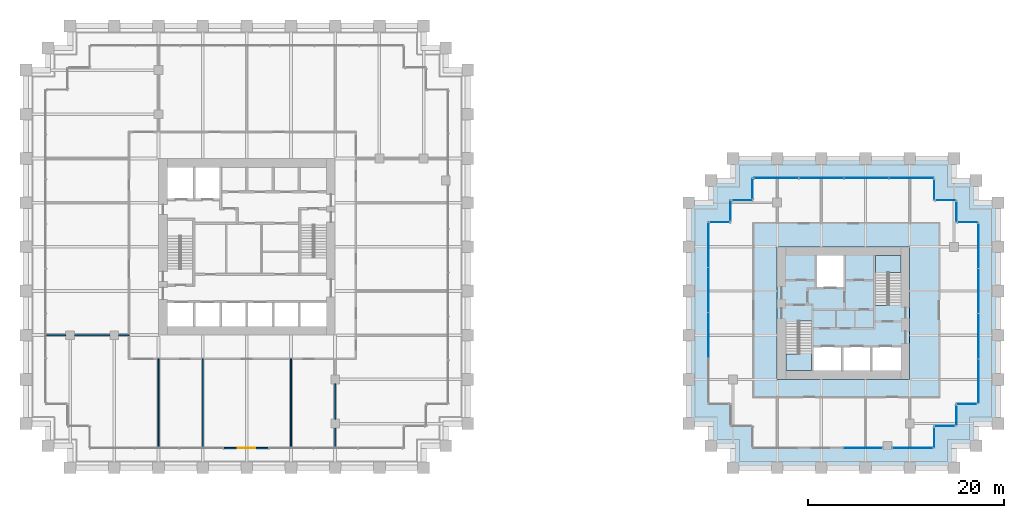
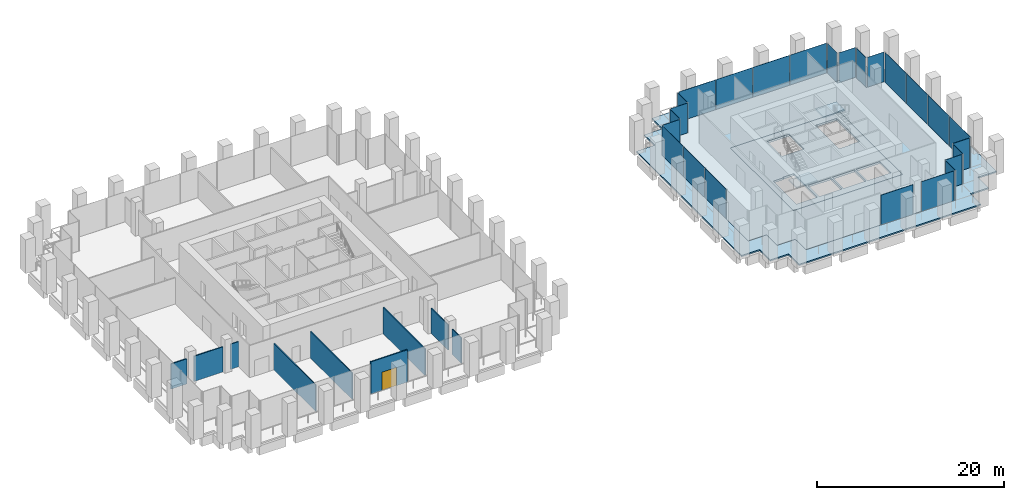
# One storey, part 29 of 36: 25 plates, 9 walls, 5 slabs, 1 door, 1 opening, 19 elements without a shape of their own.
"""IFC4 building model written with IfcOpenShell, lengths in metres."""

from ifc_helpers import new_model, si_unit, direction, frame, frame_2d, origin, origin_2d, place, context, subcontext, project, spatial, polyline, rectangle, outline, extrude, material, layer, layer_set, type_object, element, fill, aggregate, save


model = new_model("IFC4")

# Units and contexts
model_context = context("Model", 3, precision=1e-05, world=origin(), true_north=direction((0.0, 1.0)))
body_context = subcontext(model_context, "Body", "Model", "MODEL_VIEW")
ifc_project = project(units=[si_unit("LENGTHUNIT", "METRE"), si_unit("AREAUNIT", "SQUARE_METRE"), si_unit("VOLUMEUNIT", "CUBIC_METRE"), si_unit("PLANEANGLEUNIT", "RADIAN"), si_unit("MASSUNIT", "GRAM", prefix="KILO")], contexts=[model_context])

# Site, building, storey
site_placement = place(None, origin())
site = spatial("IfcSite", under=ifc_project, at=site_placement, CompositionType="ELEMENT")
building_placement = place(site_placement, origin())
building = spatial("IfcBuilding", under=site, at=building_placement, Name="Altepetl Exchange Towers", CompositionType="ELEMENT")
storey_placement = place(building_placement, frame((0.0, 0.0, 25.39990234375)))
storey = spatial("IfcBuildingStorey", under=building, at=storey_placement, Name="L05", CompositionType="ELEMENT", Elevation=25.39990234375)

# Slabs
ifc_material_1 = material(Name="Concrete C40/50", Category="concrete")
ifc_layer_1 = layer(ifc_material_1, 0.175048828125)
ifc_layer_set_1 = layer_set([ifc_layer_1], Name="Concrete C40/50")
slab_type_1 = type_object("IfcSlabType", Name="Composite floor slab 175", PredefinedType="FLOOR", material=ifc_layer_set_1)
slab_1_placement = place(storey_placement, frame((0.0, 0.0, -0.1748046875)))
element("IfcSlab", 1, at=slab_1_placement, inside=storey, type_object=slab_type_1, Name="slab:B:L05:strip0", PredefinedType="FLOOR", context=body_context, shape_type="SweptSolid", body=[
    extrude(outline(polyline([(98.75, 54.25), (98.75, 52.0), (96.5, 52.0), (96.5, 33.5), (98.75, 33.5), (98.75, 31.25), (101.0, 31.25), (101.0, 29.0), (119.5, 29.0), (119.5, 31.25), (121.75, 31.25), (121.75, 33.5), (124.0, 33.5), (124.0, 52.0), (121.75, 52.0), (121.75, 54.25), (119.5, 54.25), (119.5, 56.5), (101.0, 56.5), (101.0, 54.25), (98.75, 54.25)]), holes=[polyline([(117.0, 49.5), (117.0, 36.0), (103.5, 36.0), (103.5, 49.5), (117.0, 49.5)])]), origin(), (0.0, 0.0, 1.0), 0.1748046875),
])
ifc_layer_2 = layer(ifc_material_1, 0.27490234375)
ifc_layer_set_2 = layer_set([ifc_layer_2], Name="Concrete C40/50")
slab_type_2 = type_object("IfcSlabType", Name="Core floor slab 275", PredefinedType="FLOOR", material=ifc_layer_set_2)
slab_2_placement = place(storey_placement, frame((0.0, 0.0, -0.27490234375)))
element("IfcSlab", 2, at=slab_2_placement, inside=storey, type_object=slab_type_2, Name="slab:B:L05:core0", PredefinedType="FLOOR", context=body_context, shape_type="SweptSolid", body=[
    extrude(outline(polyline([(103.5, 36.0), (117.0, 36.0), (117.0, 49.5), (103.5, 49.5), (103.5, 36.0)]), holes=[polyline([(107.199951171875, 36.89990234375), (107.199951171875, 39.300048828125), (110.032958984375, 39.300048828125), (110.032958984375, 36.89990234375), (107.199951171875, 36.89990234375)]), polyline([(110.23291015625, 39.300048828125), (112.967041015625, 39.300048828125), (112.967041015625, 36.89990234375), (110.23291015625, 36.89990234375), (110.23291015625, 39.300048828125)]), polyline([(113.1669921875, 39.300048828125), (116.10009765625, 39.300048828125), (116.10009765625, 36.89990234375), (113.1669921875, 36.89990234375), (113.1669921875, 39.300048828125)]), polyline([(107.0, 36.89990234375), (104.39990234375, 36.89990234375), (104.39990234375, 41.85009765625), (105.64990234375, 41.85009765625), (105.64990234375, 41.948974609375), (107.0, 41.948974609375), (107.0, 36.89990234375)]), polyline([(116.10009765625, 48.60009765625), (116.10009765625, 43.64990234375), (114.85009765625, 43.64990234375), (114.85009765625, 43.551025390625), (113.5, 43.551025390625), (113.5, 48.60009765625), (116.10009765625, 48.60009765625)]), polyline([(107.532958984375, 48.60009765625), (110.26708984375, 48.60009765625), (110.26708984375, 45.39990234375), (107.532958984375, 45.39990234375), (107.532958984375, 48.60009765625)])]), origin(), (0.0, 0.0, 1.0), 0.27490234375),
])

# Curtain wall, plate
ifc_material_2 = material(Name="Aluminium 6063-T6 glazing", Category="aluminium")
curtain_wall_type = type_object("IfcCurtainWallType", Name="Trading floor glazing system", PredefinedType="NOTDEFINED", material=ifc_material_2)
curtain_wall_1_placement = place(storey_placement, origin())
curtain_wall_1 = element("IfcCurtainWall", 3, at=curtain_wall_1_placement, inside=storey, type_object=curtain_wall_type, Name="CW2 run", PredefinedType="NOTDEFINED")
ifc_material_3 = material(Name="Glass 8-20-8 solar control", Category="glass")
ifc_layer_3 = layer(ifc_material_3, 0.035888671875)
ifc_layer_set_3 = layer_set([ifc_layer_3], Name="Glass 8-20-8 solar control")
plate_type = type_object("IfcPlateType", Name="Glass panel 36 double glazed", PredefinedType="CURTAIN_PANEL", material=ifc_layer_set_3)
plate_1_placement = place(storey_placement, frame((97.675048828125, 52.0, 0.000244140625), z_axis=(0.0, 0.0, 1.0), x_axis=(-1.0, 0.0, 0.0)))
plate_1 = element("IfcPlate", 4, at=plate_1_placement, type_object=plate_type, Name="GP2 panel", PredefinedType="CURTAIN_PANEL", context=body_context, shape_type="SweptSolid", body=[
    extrude(rectangle(XDim=2.030029296875, YDim=0.035888671875, at=origin_2d()), origin(), (0.0, 0.0, 1.0), 3.89990234375),
])
aggregate(curtain_wall_1, [plate_1])

# Curtain wall, plates
curtain_wall_2_placement = place(storey_placement, origin())
curtain_wall_2 = element("IfcCurtainWall", 5, at=curtain_wall_2_placement, inside=storey, type_object=curtain_wall_type, Name="CW2 run", PredefinedType="NOTDEFINED")
plate_2_placement = place(storey_placement, frame((96.5, 49.68505859375, 0.000244140625), z_axis=(0.0, 0.0, 1.0), x_axis=(0.0, -1.0, 0.0)))
plate_2 = element("IfcPlate", 6, at=plate_2_placement, type_object=plate_type, Name="GP2 panel", PredefinedType="CURTAIN_PANEL", context=body_context, shape_type="SweptSolid", body=[
    extrude(rectangle(XDim=4.510009765625, YDim=0.035888671875, at=origin_2d()), origin(), (0.0, 0.0, 1.0), 3.89990234375),
])
plate_3_placement = place(storey_placement, frame((96.5, 45.10009765625, 0.000244140625), z_axis=(0.0, 0.0, 1.0), x_axis=(0.0, -1.0, 0.0)))
plate_3 = element("IfcPlate", 7, at=plate_3_placement, type_object=plate_type, Name="GP2 panel", PredefinedType="CURTAIN_PANEL", context=body_context, shape_type="SweptSolid", body=[
    extrude(rectangle(XDim=4.5400390625, YDim=0.035888671875, at=origin_2d()), origin(), (0.0, 0.0, 1.0), 3.89990234375),
])
plate_4_placement = place(storey_placement, frame((96.5, 40.5, 0.000244140625), z_axis=(0.0, 0.0, 1.0), x_axis=(0.0, -1.0, 0.0)))
plate_4 = element("IfcPlate", 8, at=plate_4_placement, type_object=plate_type, Name="GP2 panel", PredefinedType="CURTAIN_PANEL", context=body_context, shape_type="SweptSolid", body=[
    extrude(rectangle(XDim=4.5400390625, YDim=0.035888671875, at=origin_2d()), origin(), (0.0, 0.0, 1.0), 3.89990234375),
])
aggregate(curtain_wall_2, [plate_2, plate_3, plate_4])

# Curtain wall, plate
curtain_wall_3_placement = place(storey_placement, origin())
curtain_wall_3 = element("IfcCurtainWall", 9, at=curtain_wall_3_placement, inside=storey, type_object=curtain_wall_type, Name="CW2 run", PredefinedType="NOTDEFINED")
plate_5_placement = place(storey_placement, frame((112.239990234375, 29.0, 0.000244140625)))
plate_5 = element("IfcPlate", 10, at=plate_5_placement, type_object=plate_type, Name="GP2 panel", PredefinedType="CURTAIN_PANEL", context=body_context, shape_type="SweptSolid", body=[
    extrude(rectangle(XDim=3.9599609375, YDim=0.035888671875, at=origin_2d()), origin(), (0.0, 0.0, 1.0), 3.89990234375),
])
aggregate(curtain_wall_3, [plate_5])

curtain_wall_4_placement = place(storey_placement, origin())
curtain_wall_4 = element("IfcCurtainWall", 11, at=curtain_wall_4_placement, inside=storey, type_object=curtain_wall_type, Name="CW2 run", PredefinedType="NOTDEFINED")
plate_6_placement = place(storey_placement, frame((117.31005859375, 29.0, 0.000244140625)))
plate_6 = element("IfcPlate", 12, at=plate_6_placement, type_object=plate_type, Name="GP2 panel", PredefinedType="CURTAIN_PANEL", context=body_context, shape_type="SweptSolid", body=[
    extrude(rectangle(XDim=4.06005859375, YDim=0.035888671875, at=origin_2d()), origin(), (0.0, 0.0, 1.0), 3.89990234375),
])
aggregate(curtain_wall_4, [plate_6])

curtain_wall_5_placement = place(storey_placement, origin())
curtain_wall_5 = element("IfcCurtainWall", 13, at=curtain_wall_5_placement, inside=storey, type_object=curtain_wall_type, Name="CW2 run", PredefinedType="NOTDEFINED")
plate_7_placement = place(storey_placement, frame((119.5, 30.074951171875, 0.000244140625), z_axis=(0.0, 0.0, 1.0), x_axis=(0.0, 1.0, 0.0)))
plate_7 = element("IfcPlate", 14, at=plate_7_placement, type_object=plate_type, Name="GP2 panel", PredefinedType="CURTAIN_PANEL", context=body_context, shape_type="SweptSolid", body=[
    extrude(rectangle(XDim=2.030029296875, YDim=0.035888671875, at=origin_2d()), origin(), (0.0, 0.0, 1.0), 3.89990234375),
])
aggregate(curtain_wall_5, [plate_7])

curtain_wall_6_placement = place(storey_placement, origin())
curtain_wall_6 = element("IfcCurtainWall", 15, at=curtain_wall_6_placement, inside=storey, type_object=curtain_wall_type, Name="CW2 run", PredefinedType="NOTDEFINED")
plate_8_placement = place(storey_placement, frame((120.574951171875, 31.25, 0.000244140625)))
plate_8 = element("IfcPlate", 16, at=plate_8_placement, type_object=plate_type, Name="GP2 panel", PredefinedType="CURTAIN_PANEL", context=body_context, shape_type="SweptSolid", body=[
    extrude(rectangle(XDim=2.030029296875, YDim=0.035888671875, at=origin_2d()), origin(), (0.0, 0.0, 1.0), 3.89990234375),
])
aggregate(curtain_wall_6, [plate_8])

curtain_wall_7_placement = place(storey_placement, origin())
curtain_wall_7 = element("IfcCurtainWall", 17, at=curtain_wall_7_placement, inside=storey, type_object=curtain_wall_type, Name="CW2 run", PredefinedType="NOTDEFINED")
plate_9_placement = place(storey_placement, frame((121.75, 32.324951171875, 0.000244140625), z_axis=(0.0, 0.0, 1.0), x_axis=(0.0, 1.0, 0.0)))
plate_9 = element("IfcPlate", 18, at=plate_9_placement, type_object=plate_type, Name="GP2 panel", PredefinedType="CURTAIN_PANEL", context=body_context, shape_type="SweptSolid", body=[
    extrude(rectangle(XDim=2.030029296875, YDim=0.035888671875, at=origin_2d()), origin(), (0.0, 0.0, 1.0), 3.89990234375),
])
aggregate(curtain_wall_7, [plate_9])

curtain_wall_8_placement = place(storey_placement, origin())
curtain_wall_8 = element("IfcCurtainWall", 19, at=curtain_wall_8_placement, inside=storey, type_object=curtain_wall_type, Name="CW2 run", PredefinedType="NOTDEFINED")
plate_10_placement = place(storey_placement, frame((122.824951171875, 33.5, 0.000244140625)))
plate_10 = element("IfcPlate", 20, at=plate_10_placement, type_object=plate_type, Name="GP2 panel", PredefinedType="CURTAIN_PANEL", context=body_context, shape_type="SweptSolid", body=[
    extrude(rectangle(XDim=2.030029296875, YDim=0.035888671875, at=origin_2d()), origin(), (0.0, 0.0, 1.0), 3.89990234375),
])
aggregate(curtain_wall_8, [plate_10])

# Curtain wall, plates
curtain_wall_9_placement = place(storey_placement, origin())
curtain_wall_9 = element("IfcCurtainWall", 21, at=curtain_wall_9_placement, inside=storey, type_object=curtain_wall_type, Name="CW2 run", PredefinedType="NOTDEFINED")
plate_11_placement = place(storey_placement, frame((124.0, 35.81494140625, 0.000244140625), z_axis=(0.0, 0.0, 1.0), x_axis=(0.0, 1.0, 0.0)))
plate_11 = element("IfcPlate", 22, at=plate_11_placement, type_object=plate_type, Name="GP2 panel", PredefinedType="CURTAIN_PANEL", context=body_context, shape_type="SweptSolid", body=[
    extrude(rectangle(XDim=4.510009765625, YDim=0.035888671875, at=origin_2d()), origin(), (0.0, 0.0, 1.0), 3.89990234375),
])
plate_12_placement = place(storey_placement, frame((124.0, 40.39990234375, 0.000244140625), z_axis=(0.0, 0.0, 1.0), x_axis=(0.0, 1.0, 0.0)))
plate_12 = element("IfcPlate", 23, at=plate_12_placement, type_object=plate_type, Name="GP2 panel", PredefinedType="CURTAIN_PANEL", context=body_context, shape_type="SweptSolid", body=[
    extrude(rectangle(XDim=4.5400390625, YDim=0.035888671875, at=origin_2d()), origin(), (0.0, 0.0, 1.0), 3.89990234375),
])
plate_13_placement = place(storey_placement, frame((124.0, 45.0, 0.000244140625), z_axis=(0.0, 0.0, 1.0), x_axis=(0.0, 1.0, 0.0)))
plate_13 = element("IfcPlate", 24, at=plate_13_placement, type_object=plate_type, Name="GP2 panel", PredefinedType="CURTAIN_PANEL", context=body_context, shape_type="SweptSolid", body=[
    extrude(rectangle(XDim=4.5400390625, YDim=0.035888671875, at=origin_2d()), origin(), (0.0, 0.0, 1.0), 3.89990234375),
])
plate_14_placement = place(storey_placement, frame((124.0, 49.5849609375, 0.000244140625), z_axis=(0.0, 0.0, 1.0), x_axis=(0.0, 1.0, 0.0)))
plate_14 = element("IfcPlate", 25, at=plate_14_placement, type_object=plate_type, Name="GP2 panel", PredefinedType="CURTAIN_PANEL", context=body_context, shape_type="SweptSolid", body=[
    extrude(rectangle(XDim=4.510009765625, YDim=0.035888671875, at=origin_2d()), origin(), (0.0, 0.0, 1.0), 3.89990234375),
])
aggregate(curtain_wall_9, [plate_11, plate_12, plate_13, plate_14])

# Curtain wall, plate
curtain_wall_10_placement = place(storey_placement, origin())
curtain_wall_10 = element("IfcCurtainWall", 26, at=curtain_wall_10_placement, inside=storey, type_object=curtain_wall_type, Name="CW2 run", PredefinedType="NOTDEFINED")
plate_15_placement = place(storey_placement, frame((122.925048828125, 52.0, 0.000244140625), z_axis=(0.0, 0.0, 1.0), x_axis=(-1.0, 0.0, 0.0)))
plate_15 = element("IfcPlate", 27, at=plate_15_placement, type_object=plate_type, Name="GP2 panel", PredefinedType="CURTAIN_PANEL", context=body_context, shape_type="SweptSolid", body=[
    extrude(rectangle(XDim=2.030029296875, YDim=0.035888671875, at=origin_2d()), origin(), (0.0, 0.0, 1.0), 3.89990234375),
])
aggregate(curtain_wall_10, [plate_15])

curtain_wall_11_placement = place(storey_placement, origin())
curtain_wall_11 = element("IfcCurtainWall", 28, at=curtain_wall_11_placement, inside=storey, type_object=curtain_wall_type, Name="CW2 run", PredefinedType="NOTDEFINED")
plate_16_placement = place(storey_placement, frame((121.75, 53.074951171875, 0.000244140625), z_axis=(0.0, 0.0, 1.0), x_axis=(0.0, 1.0, 0.0)))
plate_16 = element("IfcPlate", 29, at=plate_16_placement, type_object=plate_type, Name="GP2 panel", PredefinedType="CURTAIN_PANEL", context=body_context, shape_type="SweptSolid", body=[
    extrude(rectangle(XDim=2.030029296875, YDim=0.035888671875, at=origin_2d()), origin(), (0.0, 0.0, 1.0), 3.89990234375),
])
aggregate(curtain_wall_11, [plate_16])

curtain_wall_12_placement = place(storey_placement, origin())
curtain_wall_12 = element("IfcCurtainWall", 30, at=curtain_wall_12_placement, inside=storey, type_object=curtain_wall_type, Name="CW2 run", PredefinedType="NOTDEFINED")
plate_17_placement = place(storey_placement, frame((120.675048828125, 54.25, 0.000244140625), z_axis=(0.0, 0.0, 1.0), x_axis=(-1.0, 0.0, 0.0)))
plate_17 = element("IfcPlate", 31, at=plate_17_placement, type_object=plate_type, Name="GP2 panel", PredefinedType="CURTAIN_PANEL", context=body_context, shape_type="SweptSolid", body=[
    extrude(rectangle(XDim=2.030029296875, YDim=0.035888671875, at=origin_2d()), origin(), (0.0, 0.0, 1.0), 3.89990234375),
])
aggregate(curtain_wall_12, [plate_17])

curtain_wall_13_placement = place(storey_placement, origin())
curtain_wall_13 = element("IfcCurtainWall", 32, at=curtain_wall_13_placement, inside=storey, type_object=curtain_wall_type, Name="CW2 run", PredefinedType="NOTDEFINED")
plate_18_placement = place(storey_placement, frame((119.5, 55.324951171875, 0.000244140625), z_axis=(0.0, 0.0, 1.0), x_axis=(0.0, 1.0, 0.0)))
plate_18 = element("IfcPlate", 33, at=plate_18_placement, type_object=plate_type, Name="GP2 panel", PredefinedType="CURTAIN_PANEL", context=body_context, shape_type="SweptSolid", body=[
    extrude(rectangle(XDim=2.030029296875, YDim=0.035888671875, at=origin_2d()), origin(), (0.0, 0.0, 1.0), 3.89990234375),
])
aggregate(curtain_wall_13, [plate_18])

# Curtain wall, plates
curtain_wall_14_placement = place(storey_placement, origin())
curtain_wall_14 = element("IfcCurtainWall", 34, at=curtain_wall_14_placement, inside=storey, type_object=curtain_wall_type, Name="CW2 run", PredefinedType="NOTDEFINED")
plate_19_placement = place(storey_placement, frame((117.18505859375, 56.5, 0.000244140625), z_axis=(0.0, 0.0, 1.0), x_axis=(-1.0, 0.0, 0.0)))
plate_19 = element("IfcPlate", 35, at=plate_19_placement, type_object=plate_type, Name="GP2 panel", PredefinedType="CURTAIN_PANEL", context=body_context, shape_type="SweptSolid", body=[
    extrude(rectangle(XDim=4.510009765625, YDim=0.035888671875, at=origin_2d()), origin(), (0.0, 0.0, 1.0), 3.89990234375),
])
plate_20_placement = place(storey_placement, frame((112.60009765625, 56.5, 0.000244140625), z_axis=(0.0, 0.0, 1.0), x_axis=(-1.0, 0.0, 0.0)))
plate_20 = element("IfcPlate", 36, at=plate_20_placement, type_object=plate_type, Name="GP2 panel", PredefinedType="CURTAIN_PANEL", context=body_context, shape_type="SweptSolid", body=[
    extrude(rectangle(XDim=4.5400390625, YDim=0.035888671875, at=origin_2d()), origin(), (0.0, 0.0, 1.0), 3.89990234375),
])
plate_21_placement = place(storey_placement, frame((108.0, 56.5, 0.000244140625), z_axis=(0.0, 0.0, 1.0), x_axis=(-1.0, 0.0, 0.0)))
plate_21 = element("IfcPlate", 37, at=plate_21_placement, type_object=plate_type, Name="GP2 panel", PredefinedType="CURTAIN_PANEL", context=body_context, shape_type="SweptSolid", body=[
    extrude(rectangle(XDim=4.5400390625, YDim=0.035888671875, at=origin_2d()), origin(), (0.0, 0.0, 1.0), 3.89990234375),
])
plate_22_placement = place(storey_placement, frame((103.4150390625, 56.5, 0.000244140625), z_axis=(0.0, 0.0, 1.0), x_axis=(-1.0, 0.0, 0.0)))
plate_22 = element("IfcPlate", 38, at=plate_22_placement, type_object=plate_type, Name="GP2 panel", PredefinedType="CURTAIN_PANEL", context=body_context, shape_type="SweptSolid", body=[
    extrude(rectangle(XDim=4.510009765625, YDim=0.035888671875, at=origin_2d()), origin(), (0.0, 0.0, 1.0), 3.89990234375),
])
aggregate(curtain_wall_14, [plate_19, plate_20, plate_21, plate_22])

# Curtain wall, plate
curtain_wall_15_placement = place(storey_placement, origin())
curtain_wall_15 = element("IfcCurtainWall", 39, at=curtain_wall_15_placement, inside=storey, type_object=curtain_wall_type, Name="CW2 run", PredefinedType="NOTDEFINED")
plate_23_placement = place(storey_placement, frame((101.0, 55.425048828125, 0.000244140625), z_axis=(0.0, 0.0, 1.0), x_axis=(0.0, -1.0, 0.0)))
plate_23 = element("IfcPlate", 40, at=plate_23_placement, type_object=plate_type, Name="GP2 panel", PredefinedType="CURTAIN_PANEL", context=body_context, shape_type="SweptSolid", body=[
    extrude(rectangle(XDim=2.030029296875, YDim=0.035888671875, at=origin_2d()), origin(), (0.0, 0.0, 1.0), 3.89990234375),
])
aggregate(curtain_wall_15, [plate_23])

curtain_wall_16_placement = place(storey_placement, origin())
curtain_wall_16 = element("IfcCurtainWall", 41, at=curtain_wall_16_placement, inside=storey, type_object=curtain_wall_type, Name="CW2 run", PredefinedType="NOTDEFINED")
plate_24_placement = place(storey_placement, frame((99.925048828125, 54.25, 0.000244140625), z_axis=(0.0, 0.0, 1.0), x_axis=(-1.0, 0.0, 0.0)))
plate_24 = element("IfcPlate", 42, at=plate_24_placement, type_object=plate_type, Name="GP2 panel", PredefinedType="CURTAIN_PANEL", context=body_context, shape_type="SweptSolid", body=[
    extrude(rectangle(XDim=2.030029296875, YDim=0.035888671875, at=origin_2d()), origin(), (0.0, 0.0, 1.0), 3.89990234375),
])
aggregate(curtain_wall_16, [plate_24])

curtain_wall_17_placement = place(storey_placement, origin())
curtain_wall_17 = element("IfcCurtainWall", 43, at=curtain_wall_17_placement, inside=storey, type_object=curtain_wall_type, Name="CW2 run", PredefinedType="NOTDEFINED")
plate_25_placement = place(storey_placement, frame((98.75, 53.175048828125, 0.000244140625), z_axis=(0.0, 0.0, 1.0), x_axis=(0.0, -1.0, 0.0)))
plate_25 = element("IfcPlate", 44, at=plate_25_placement, type_object=plate_type, Name="GP2 panel", PredefinedType="CURTAIN_PANEL", context=body_context, shape_type="SweptSolid", body=[
    extrude(rectangle(XDim=2.030029296875, YDim=0.035888671875, at=origin_2d()), origin(), (0.0, 0.0, 1.0), 3.89990234375),
])
aggregate(curtain_wall_17, [plate_25])

# Slab
ifc_layer_4 = layer(ifc_material_1, 0.175048828125)
ifc_layer_set_4 = layer_set([ifc_layer_4], Name="Concrete C40/50")
slab_type_3 = type_object("IfcSlabType", Name="Loggia slab 175", PredefinedType="FLOOR", material=ifc_layer_set_4)
slab_3_placement = place(storey_placement, frame((0.0, 0.0, -0.1748046875)))
element("IfcSlab", 45, at=slab_3_placement, inside=storey, type_object=slab_type_3, Name="slab:B:L05:loggia0", PredefinedType="FLOOR", context=body_context, shape_type="SweptSolid", body=[
    extrude(outline(polyline([(96.75, 54.0), (94.5, 54.0), (94.5, 36.0), (94.5, 31.5), (96.75, 31.5), (96.75, 29.25), (99.0, 29.25), (99.0, 27.0), (117.0, 27.0), (121.5, 27.0), (121.5, 29.25), (123.75, 29.25), (123.75, 31.5), (126.0, 31.5), (126.0, 49.5), (126.0, 54.0), (123.75, 54.0), (123.75, 56.25), (121.5, 56.25), (121.5, 58.5), (103.5, 58.5), (99.0, 58.5), (99.0, 56.25), (96.75, 56.25), (96.75, 54.0)]), holes=[polyline([(96.5, 52.0), (98.75, 52.0), (98.75, 54.25), (101.0, 54.25), (101.0, 56.5), (119.5, 56.5), (119.5, 54.25), (121.75, 54.25), (121.75, 52.0), (124.0, 52.0), (124.0, 33.5), (121.75, 33.5), (121.75, 31.25), (119.5, 31.25), (119.5, 29.0), (101.0, 29.0), (101.0, 31.25), (98.75, 31.25), (98.75, 33.5), (96.5, 33.5), (96.5, 52.0)])]), origin(), (0.0, 0.0, 1.0), 0.1748046875),
])

# Stair, slab
stair_type = type_object("IfcStairType", Name="Exit stair 1250 flights dogleg", PredefinedType="HALF_TURN_STAIR", material=ifc_material_1)
stair_1_placement = place(storey_placement, origin())
stair_1 = element("IfcStair", 46, at=stair_1_placement, inside=storey, type_object=stair_type, Name="Exit stair 1", PredefinedType="HALF_TURN_STAIR")
ifc_layer_5 = layer(ifc_material_1, 0.199951171875)
ifc_layer_set_5 = layer_set([ifc_layer_5], Name="Concrete C40/50")
slab_type_4 = type_object("IfcSlabType", Name="Stair landing 200 reinforced concrete", PredefinedType="LANDING", material=ifc_layer_set_5)
slab_4_placement = place(storey_placement, frame((0.0, 0.0, 2.0)))
slab_4 = element("IfcSlab", 47, at=slab_4_placement, type_object=slab_type_4, Name="ST-B1b landing 1", PredefinedType="LANDING", context=body_context, shape_type="SweptSolid", body=[
    extrude(outline(polyline([(107.0, 36.89990234375), (104.39990234375, 36.89990234375), (104.39990234375, 38.590087890625), (104.39990234375, 38.5908203125), (105.64990234375, 38.5908203125), (105.64990234375, 38.590087890625), (105.75, 38.590087890625), (105.75, 38.68994140625), (107.0, 38.68994140625), (107.0, 38.590087890625), (107.0, 36.89990234375)])), origin(), (0.0, 0.0, 1.0), 0.2001953125),
])
aggregate(stair_1, [slab_4])

stair_2_placement = place(storey_placement, origin())
stair_2 = element("IfcStair", 48, at=stair_2_placement, inside=storey, type_object=stair_type, Name="Exit stair 2", PredefinedType="HALF_TURN_STAIR")
slab_5_placement = place(storey_placement, frame((0.0, 0.0, 2.0)))
slab_5 = element("IfcSlab", 49, at=slab_5_placement, type_object=slab_type_4, Name="ST-B2b landing 1", PredefinedType="LANDING", context=body_context, shape_type="SweptSolid", body=[
    extrude(outline(polyline([(114.75, 46.81005859375), (113.5, 46.81005859375), (113.5, 46.909912109375), (113.5, 48.60009765625), (116.10009765625, 48.60009765625), (116.10009765625, 46.909912109375), (116.10009765625, 46.9091796875), (114.85009765625, 46.9091796875), (114.85009765625, 46.909912109375), (114.75, 46.909912109375), (114.75, 46.81005859375)])), origin(), (0.0, 0.0, 1.0), 0.2001953125),
])
aggregate(stair_2, [slab_5])

# Wall, opening, door
ifc_material_4 = material(Name="Aluminium composite cladding", Category="aluminium")
ifc_layer_6 = layer(ifc_material_4, 0.14990234375)
ifc_layer_set_6 = layer_set([ifc_layer_6], Name="Aluminium composite cladding")
wall_type_1 = type_object("IfcWallType", Name="Infill wall 150 aluminium panel", PredefinedType="SOLIDWALL", material=ifc_layer_set_6)
wall_1_placement = place(storey_placement, frame((47.17138671875, 29.0, 0.0)))
wall_1 = element("IfcWall", 50, at=wall_1_placement, inside=storey, type_object=wall_type_1, Name="Loggia door bay wall", PredefinedType="SOLIDWALL", context=body_context, shape_type="SweptSolid", body=[
    extrude(rectangle(XDim=4.55712890625, YDim=0.14990234375, at=frame_2d((2.278564453125, 0.0))), origin(), (0.0, 0.0, 1.0), 4.22509765625),
])
opening_placement = place(wall_1_placement, frame((1.378662109375, 0.0, 0.0)))
opening = element("IfcOpeningElement", 51, at=opening_placement, cuts=wall_1, Name="Opening L05.A90", PredefinedType="OPENING", context=body_context, shape_type="SweptSolid", body=[
    extrude(rectangle(XDim=1.800048828125, YDim=2.39990234375, at=frame_2d((0.89990234375, 1.199951171875))), frame((0.0, 0.0849609375, 0.0), z_axis=(0.0, -1.0, 0.0), x_axis=(1.0, 0.0, 0.0)), (0.0, 0.0, 1.0), 0.169921875),
])
ifc_material_5 = material(Name="Aluminium 6063-T6 and glass", Category="aluminium")
door_type = type_object("IfcDoorType", Name="Glazed door pair 1800x2400", OperationType="DOUBLE_DOOR_DOUBLE_SWING", PredefinedType="NOTDEFINED", material=ifc_material_5)
door_placement = place(opening_placement, frame((1.800048828125, 0.0, 0.0), x_axis=(-1.0, 0.0, 0.0)))
door = element("IfcDoor", 52, at=door_placement, inside=storey, type_object=door_type, Name="Loggia door", OperationType="DOUBLE_DOOR_DOUBLE_SWING", OverallHeight=2.39990234375, OverallWidth=1.800048828125, PredefinedType="NOTDEFINED", context=body_context, shape_type="SweptSolid", body=[
    extrude(rectangle(XDim=1.800048828125, YDim=2.39990234375, at=frame_2d((0.89990234375, 1.199951171875))), frame((0.0, 0.02490234375, 0.0), z_axis=(0.0, -1.0, 0.0), x_axis=(1.0, 0.0, 0.0)), (0.0, 0.0, 1.0), 0.050048828125),
])
fill(opening, door)

# Walls
ifc_material_6 = material(Name="Gypsum board on steel studs", Category="steel")
ifc_layer_7 = layer(ifc_material_6, 0.125)
ifc_layer_set_7 = layer_set([ifc_layer_7], Name="Gypsum board on steel studs")
wall_type_2 = type_object("IfcWallType", Name="Partition 125 gypsum board on steel studs", PredefinedType="PARTITIONING", material=ifc_layer_set_7)
wall_2_placement = place(storey_placement, frame((29.10009765625, 40.5, 0.0)))
element("IfcWall", 53, at=wall_2_placement, inside=storey, type_object=wall_type_2, Name="wall:A:L05:P02", PredefinedType="PARTITIONING", context=body_context, shape_type="SweptSolid", body=[
    extrude(rectangle(XDim=1.949951171875, YDim=0.125, at=frame_2d((0.97509765625, 0.0))), origin(), (0.0, 0.0, 1.0), 3.302001953125),
])
wall_3_placement = place(storey_placement, frame((31.949951171875, 40.5, 0.0)))
element("IfcWall", 54, at=wall_3_placement, inside=storey, type_object=wall_type_2, Name="wall:A:L05:P03", PredefinedType="PARTITIONING", context=body_context, shape_type="SweptSolid", body=[
    extrude(rectangle(XDim=3.60009765625, YDim=0.125, at=frame_2d((1.800048828125, 0.0))), origin(), (0.0, 0.0, 1.0), 3.302001953125),
])
wall_4_placement = place(storey_placement, frame((36.449951171875, 40.5, 0.0)))
element("IfcWall", 55, at=wall_4_placement, inside=storey, type_object=wall_type_2, Name="wall:A:L05:P04", PredefinedType="PARTITIONING", context=body_context, shape_type="SweptSolid", body=[
    extrude(rectangle(XDim=1.050048828125, YDim=0.125, at=frame_2d((0.52490234375, 0.0))), origin(), (0.0, 0.0, 1.0), 3.302001953125),
])
for number, where, z_axis, x_axis, name in (
    (56, (40.5, 29.10009765625, 0.0), (0.0, 0.0, 1.0), (0.0, 1.0, 0.0), "wall:A:L05:P15"),
    (57, (45.0, 29.10009765625, 0.0), (0.0, 0.0, 1.0), (0.0, 1.0, 0.0), "wall:A:L05:P19"),
    (58, (54.0, 29.10009765625, 0.0), (0.0, 0.0, 1.0), (0.0, 1.0, 0.0), "wall:A:L05:P21"),
):
    element("IfcWall", number, at=place(storey_placement, frame(where, z_axis=z_axis, x_axis=x_axis)), inside=storey, type_object=wall_type_2, Name=name, PredefinedType="PARTITIONING", context=body_context, shape_type="SweptSolid", body=[
        extrude(rectangle(XDim=9.0, YDim=0.125, at=frame_2d((4.5, 0.0))), origin(), (0.0, 0.0, 1.0), 3.467041015625),
    ])
wall_5_placement = place(storey_placement, frame((58.5, 29.10009765625, 0.0), z_axis=(0.0, 0.0, 1.0), x_axis=(0.0, 1.0, 0.0)))
element("IfcWall", 59, at=wall_5_placement, inside=storey, type_object=wall_type_2, Name="wall:A:L05:P22", PredefinedType="PARTITIONING", context=body_context, shape_type="SweptSolid", body=[
    extrude(rectangle(XDim=1.949951171875, YDim=0.125, at=frame_2d((0.97509765625, 0.0))), origin(), (0.0, 0.0, 1.0), 3.302001953125),
])
wall_6_placement = place(storey_placement, frame((58.5, 31.949951171875, 0.0), z_axis=(0.0, 0.0, 1.0), x_axis=(0.0, 1.0, 0.0)))
element("IfcWall", 60, at=wall_6_placement, inside=storey, type_object=wall_type_2, Name="wall:A:L05:P23", PredefinedType="PARTITIONING", context=body_context, shape_type="SweptSolid", body=[
    extrude(rectangle(XDim=3.60009765625, YDim=0.125, at=frame_2d((1.800048828125, 0.0))), origin(), (0.0, 0.0, 1.0), 3.302001953125),
])

save(model, "model.ifc")
